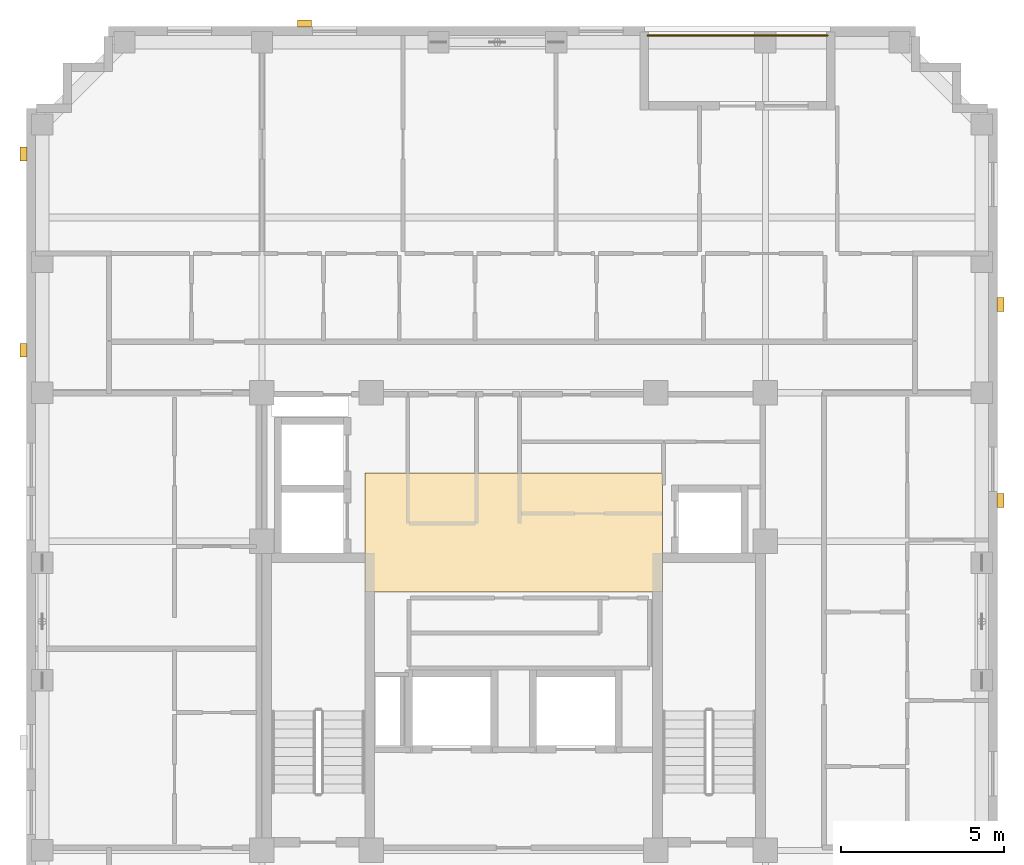
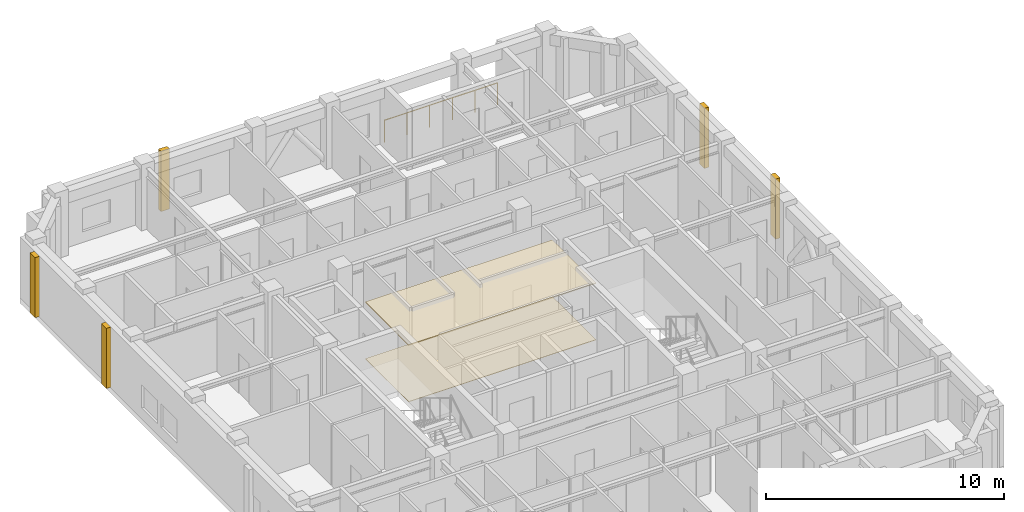
# One storey, part 11 of 11: 7 coverings, 1 railing.
"""IFC4 building model written with IfcOpenShell, lengths in metres."""

from ifc_helpers import new_model, si_unit, derived_unit, direction, frame, origin, origin_2d, place, context, subcontext, project, spatial, polyline, rectangle, circle, outline, extrude, material, layer, layer_set, type_object, element, save


model = new_model("IFC4")

# Units and contexts
model_context = context("Model", 3, precision=1e-05, world=origin(), true_north=direction((0.0, 1.0)))
body_context = subcontext(model_context, "Body", "Model", "MODEL_VIEW")
ifc_project = project(units=[si_unit("LENGTHUNIT", "METRE"), si_unit("AREAUNIT", "SQUARE_METRE"), si_unit("VOLUMEUNIT", "CUBIC_METRE"), si_unit("PLANEANGLEUNIT", "RADIAN"), si_unit("MASSUNIT", "GRAM", prefix="KILO"), derived_unit("THERMALTRANSMITTANCEUNIT", [(si_unit("MASSUNIT", "GRAM", prefix="KILO"), 1), (si_unit("TIMEUNIT", "SECOND"), -3), (si_unit("THERMODYNAMICTEMPERATUREUNIT", "KELVIN"), -1)])], contexts=[model_context])

# Site, building, storey
site_placement = place(None, origin())
site = spatial("IfcSite", under=ifc_project, at=site_placement, CompositionType="ELEMENT")
building_placement = place(site_placement, origin())
building = spatial("IfcBuilding", under=site, at=building_placement, Name="Korrvale Station Residences", CompositionType="ELEMENT")
storey_placement = place(building_placement, frame((0.0, 0.0, 241.10009765625)))
storey = spatial("IfcBuildingStorey", under=building, at=storey_placement, Name="L70", CompositionType="ELEMENT", Elevation=241.10009765625)

# Coverings
ifc_material_1 = material(Name="Perforated acoustic mineral-fibre suspended ceiling", Category="gypsum")
ifc_layer_1 = layer(ifc_material_1, 0.050048828125, Name="Perforated acoustic mineral-fibre suspended ceiling")
ifc_layer_set_1 = layer_set([ifc_layer_1], Name="Perforated acoustic mineral-fibre suspended ceiling")
covering_type_1 = type_object("IfcCoveringType", Name="COV-CLG-AC60", PredefinedType="CEILING", material=ifc_layer_set_1)
covering_1_placement = place(storey_placement, frame((0.0, 0.0, 2.889892578125)))
element("IfcCovering", 1, at=covering_1_placement, inside=storey, type_object=covering_type_1, Name="L70 Elevator Lobby Acoustic Ceiling", PredefinedType="CEILING", context=body_context, shape_type="SweptSolid", body=[
    extrude(outline(polyline([(20.949951171875, 22.89990234375), (30.050048828125, 22.89990234375), (30.050048828125, 26.550048828125), (20.949951171875, 26.550048828125), (20.949951171875, 22.89990234375)])), origin(), (0.0, 0.0, 1.0), 0.050048828125),
])
ifc_material_2 = material(Name="Polished quartz-terrazzo lobby flooring", Category="masonry")
ifc_layer_2 = layer(ifc_material_2, 0.02001953125, Name="Polished quartz-terrazzo lobby flooring")
ifc_layer_set_2 = layer_set([ifc_layer_2], Name="Polished quartz-terrazzo lobby flooring")
covering_type_2 = type_object("IfcCoveringType", Name="COV-FLR-TER20", PredefinedType="FLOORING", material=ifc_layer_set_2)
covering_2_placement = place(storey_placement, origin())
element("IfcCovering", 2, at=covering_2_placement, inside=storey, type_object=covering_type_2, Name="L70 Elevator Lobby Terrazzo Flooring", PredefinedType="FLOORING", context=body_context, shape_type="SweptSolid", body=[
    extrude(outline(polyline([(20.949951171875, 22.89990234375), (30.050048828125, 22.89990234375), (30.050048828125, 26.550048828125), (20.949951171875, 26.550048828125), (20.949951171875, 22.89990234375)])), origin(), (0.0, 0.0, 1.0), 0.02001953125),
])
ifc_material_3 = material(Name="Architectural precast concrete C45/55", Category="concrete")
ifc_layer_3 = layer(ifc_material_3, 0.219970703125, Name="Architectural precast concrete C45/55")
ifc_layer_set_3 = layer_set([ifc_layer_3], Name="Architectural precast concrete C45/55")
covering_type_3 = type_object("IfcCoveringType", Name="COV-PIER-400", PredefinedType="CLADDING", material=ifc_layer_set_3)
for number, where, z_axis, x_axis, name in (
    (3, (19.10009765625, 40.2900390625, 0.02490234375), (0.0, 0.0, 1.0), (1.0, 0.0, 0.0), "L70 Architectural Precast Facade Pier 01"),
    (4, (10.510009765625, 30.300048828125, 0.02490234375), (0.0, 0.0, 1.0), (0.0, 1.0, 0.0), "L70 Architectural Precast Facade Pier 04"),
    (5, (10.510009765625, 36.300048828125, 0.02490234375), (0.0, 0.0, 1.0), (0.0, 1.0, 0.0), "L70 Architectural Precast Facade Pier 05"),
    (6, (40.389892578125, 31.699951171875, 0.02490234375), (0.0, 0.0, 1.0), (0.0, 1.0, 0.0), "L70 Architectural Precast Facade Pier 06"),
    (7, (40.389892578125, 25.699951171875, 0.02490234375), (0.0, 0.0, 1.0), (0.0, 1.0, 0.0), "L70 Architectural Precast Facade Pier 07"),
):
    element("IfcCovering", number, at=place(storey_placement, frame(where, z_axis=z_axis, x_axis=x_axis)), inside=storey, type_object=covering_type_3, Name=name, PredefinedType="CLADDING", context=body_context, shape_type="SweptSolid", body=[
        extrude(rectangle(XDim=0.419921875, YDim=0.219970703125, at=origin_2d()), origin(), (0.0, 0.0, 1.0), 3.090087890625),
    ])

# Railing
ifc_material_4 = material(Name="Powder-coated aluminium picket loggia guard", Category="aluminium")
railing_type = type_object("IfcRailingType", Name="RLG-BAL-1150", PredefinedType="GUARDRAIL", material=ifc_material_4)
railing_placement = place(storey_placement, frame((29.60009765625, 39.929931640625, 0.0)))
element("IfcRailing", 8, at=railing_placement, inside=storey, type_object=railing_type, Name="L70 Recessed Loggia Guardrail BAL-L70-N1", PredefinedType="GUARDRAIL", context=body_context, shape_type="SweptSolid", body=[
    extrude(circle(Radius=0.02392578125, at=origin_2d()), frame((0.0, 0.0, 1.1259765625), z_axis=(1.0, 0.0, 0.0), x_axis=(0.0, 1.0, 0.0)), (0.0, 0.0, 1.0), 5.5),
    extrude(circle(Radius=0.02099609375, at=origin_2d()), origin(), (0.0, 0.0, 1.0), 1.101806640625),
    extrude(circle(Radius=0.02099609375, at=origin_2d()), frame((1.10009765625, 0.0, 0.0)), (0.0, 0.0, 1.0), 1.101806640625),
    extrude(circle(Radius=0.02099609375, at=origin_2d()), frame((2.199951171875, 0.0, 0.0)), (0.0, 0.0, 1.0), 1.101806640625),
    extrude(circle(Radius=0.02099609375, at=origin_2d()), frame((3.300048828125, 0.0, 0.0)), (0.0, 0.0, 1.0), 1.101806640625),
    extrude(circle(Radius=0.02099609375, at=origin_2d()), frame((4.39990234375, 0.0, 0.0)), (0.0, 0.0, 1.0), 1.101806640625),
    extrude(circle(Radius=0.02099609375, at=origin_2d()), frame((5.5, 0.0, 0.0)), (0.0, 0.0, 1.0), 1.101806640625),
])

save(model, "model.ifc")
